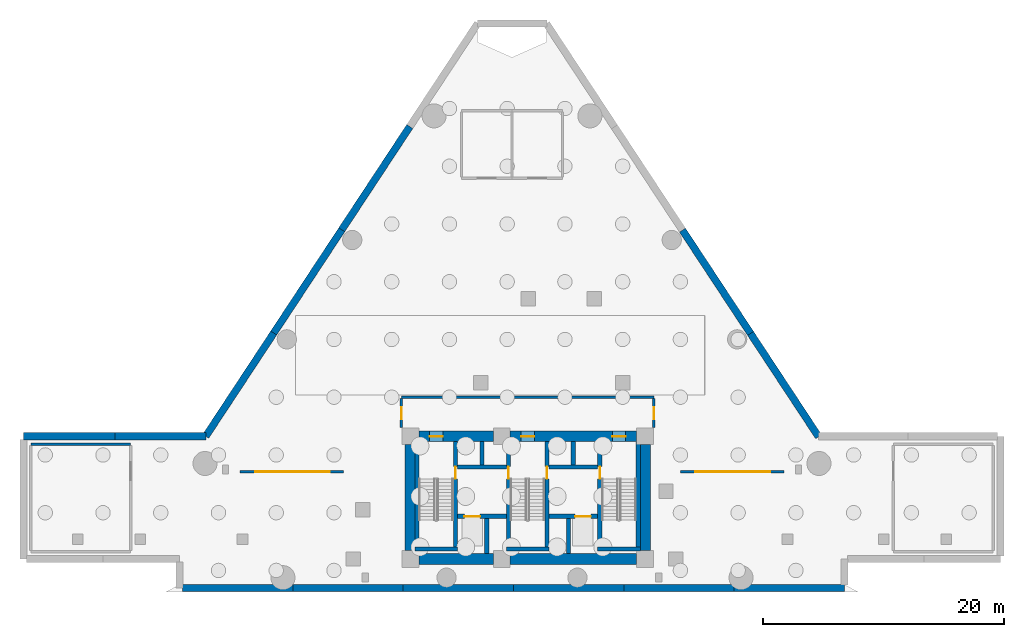
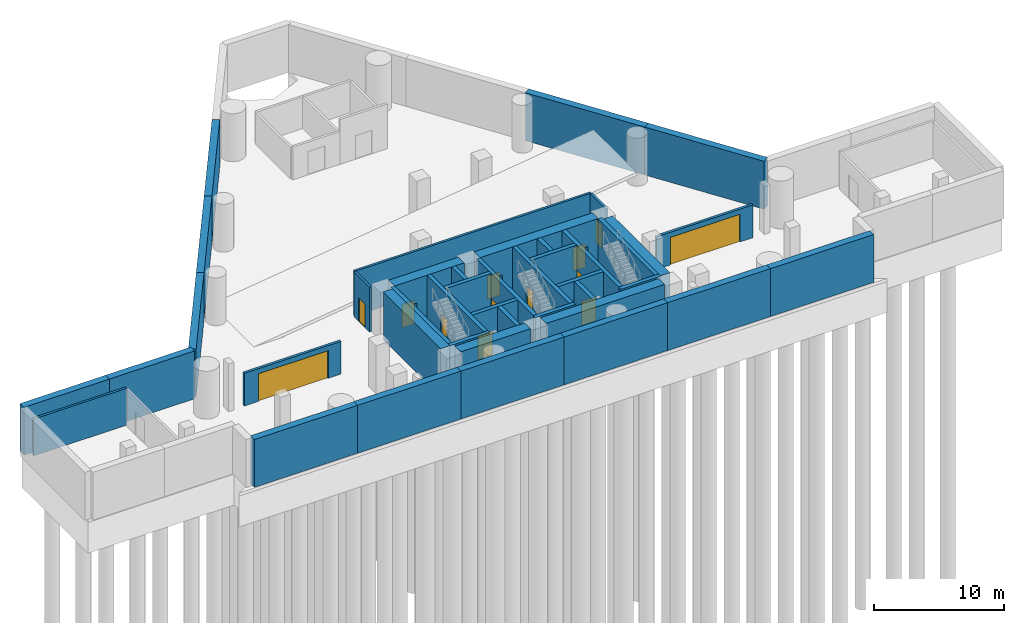
# One storey, part 2 of 5: 42 walls, 13 doors, 13 openings.
"""IFC4 building model written with IfcOpenShell, lengths in metres."""

from ifc_helpers import new_model, si_unit, direction, frame, frame_2d, origin, place, context, subcontext, project, spatial, rectangle, extrude, material, layer, layer_set, type_object, element, fill, save


model = new_model("IFC4")

# Units and contexts
model_context = context("Model", 3, precision=1e-05, world=origin(), true_north=direction((0.0, 1.0)))
body_context = subcontext(model_context, "Body", "Model", "MODEL_VIEW")
ifc_project = project(units=[si_unit("LENGTHUNIT", "METRE"), si_unit("AREAUNIT", "SQUARE_METRE"), si_unit("VOLUMEUNIT", "CUBIC_METRE"), si_unit("PLANEANGLEUNIT", "RADIAN"), si_unit("MASSUNIT", "GRAM", prefix="KILO")], contexts=[model_context])

# Site, building, storey
site_placement = place(None, origin())
site = spatial("IfcSite", under=ifc_project, at=site_placement, CompositionType="ELEMENT")
building_placement = place(site_placement, origin())
building = spatial("IfcBuilding", under=site, at=building_placement, Name="Almagre Mirador Tower", CompositionType="ELEMENT")
storey_placement = place(building_placement, frame((0.0, 0.0, -9.0)))
storey = spatial("IfcBuildingStorey", under=building, at=storey_placement, Name="B02", CompositionType="ELEMENT", Elevation=-9.0)

# Walls
ifc_material_1 = material(Name="Gypsum acoustic stud partition", Category="other")
ifc_layer_1 = layer(ifc_material_1, 0.199951171875)
ifc_layer_set_1 = layer_set([ifc_layer_1], Name="Gypsum acoustic stud partition")
wall_type_1 = type_object("IfcWallType", Name="WAL-PRT-200-EI60", PredefinedType="PARTITIONING", material=ifc_layer_set_1)
wall_1_placement = place(storey_placement, frame((-4.0, 14.10009765625, 0.0), z_axis=(0.0, 0.0, 1.0), x_axis=(1.0, 0.0, 0.0)))
element("IfcWall", 1, at=wall_1_placement, inside=storey, type_object=wall_type_1, Name="B02 West District Chilled-Water Plant Room N fire partition", PredefinedType="PARTITIONING", context=body_context, shape_type="SweptSolid", body=[
    extrude(rectangle(XDim=8.300048828125, YDim=0.199951171875, at=frame_2d((4.14990234375, 0.0))), origin(), (0.0, 0.0, 1.0), 3.464111328125),
])
wall_2_placement = place(storey_placement, frame((26.800048828125, 18.0, 0.0), z_axis=(0.0, 0.0, 1.0), x_axis=(1.0, 0.0, 0.0)))
element("IfcWall", 2, at=wall_2_placement, inside=storey, type_object=wall_type_1, Name="B02 core stair lobby north fire wall", PredefinedType="PARTITIONING", context=body_context, shape_type="SweptSolid", body=[
    extrude(rectangle(XDim=21.0, YDim=0.199951171875, at=frame_2d((10.5, 0.0))), origin(), (0.0, 0.0, 1.0), 4.199951171875),
])

# Wall, opening, door
wall_3_placement = place(storey_placement, frame((26.800048828125, 15.47998046875, 0.0), z_axis=(0.0, 0.0, 1.0), x_axis=(0.0, 1.0, 0.0)))
wall_3 = element("IfcWall", 3, at=wall_3_placement, inside=storey, type_object=wall_type_1, Name="B02 core stair lobby west fire wall", PredefinedType="PARTITIONING", context=body_context, shape_type="SweptSolid", body=[
    extrude(rectangle(XDim=2.409912109375, YDim=0.199951171875, at=frame_2d((1.205078125, 0.0))), origin(), (0.0, 0.0, 1.0), 4.199951171875),
])
opening_1_placement = place(wall_3_placement, frame((0.699951171875, 0.0, 0.0)))
opening_1 = element("IfcOpeningElement", 4, at=opening_1_placement, cuts=wall_3, Name="Opening ID-01", PredefinedType="OPENING", context=body_context, shape_type="SweptSolid", body=[
    extrude(rectangle(XDim=1.0, YDim=2.199951171875, at=frame_2d((0.5, 1.10009765625))), frame((0.0, 0.110098, 0.0), z_axis=(0.0, -1.0, 0.0), x_axis=(1.0, 0.0, 0.0)), (0.0, 0.0, 1.0), 0.219951),
])
ifc_material_2 = material(Name="Fire-rated walnut timber", Category="wood")
door_type_1 = type_object("IfcDoorType", Name="DOR-FD60-1000X2200", OperationType="NOTDEFINED", PredefinedType="DOOR", material=ifc_material_2)
door_1_placement = place(opening_1_placement, origin())
door_1 = element("IfcDoor", 5, at=door_1_placement, inside=storey, type_object=door_type_1, Name="DR-0006 B02 core stair lobby west door", OperationType="SINGLE_SWING_RIGHT", OverallHeight=2.199951171875, OverallWidth=1.0, PredefinedType="DOOR", context=body_context, shape_type="SweptSolid", body=[
    extrude(rectangle(XDim=1.0, YDim=2.199951171875, at=frame_2d((0.5, 1.10009765625))), frame((0.0, 0.02490234375, 0.0), z_axis=(0.0, -1.0, 0.0), x_axis=(1.0, 0.0, 0.0)), (0.0, 0.0, 1.0), 0.050048828125),
])
fill(opening_1, door_1)

wall_4_placement = place(storey_placement, frame((47.800048828125, 15.47998046875, 0.0), z_axis=(0.0, 0.0, 1.0), x_axis=(0.0, 1.0, 0.0)))
wall_4 = element("IfcWall", 6, at=wall_4_placement, inside=storey, type_object=wall_type_1, Name="B02 core stair lobby east fire wall", PredefinedType="PARTITIONING", context=body_context, shape_type="SweptSolid", body=[
    extrude(rectangle(XDim=2.409912109375, YDim=0.199951171875, at=frame_2d((1.205078125, 0.0))), origin(), (0.0, 0.0, 1.0), 4.199951171875),
])
opening_2_placement = place(wall_4_placement, frame((0.699951171875, 0.0, 0.0)))
opening_2 = element("IfcOpeningElement", 7, at=opening_2_placement, cuts=wall_4, Name="Opening ID-01", PredefinedType="OPENING", context=body_context, shape_type="SweptSolid", body=[
    extrude(rectangle(XDim=1.0, YDim=2.199951171875, at=frame_2d((0.5, 1.10009765625))), frame((0.0, 0.110098, 0.0), z_axis=(0.0, -1.0, 0.0), x_axis=(1.0, 0.0, 0.0)), (0.0, 0.0, 1.0), 0.219951),
])
door_2_placement = place(opening_2_placement, origin())
door_2 = element("IfcDoor", 8, at=door_2_placement, inside=storey, type_object=door_type_1, Name="DR-0005 B02 core stair lobby east door", OperationType="SINGLE_SWING_RIGHT", OverallHeight=2.199951171875, OverallWidth=1.0, PredefinedType="DOOR", context=body_context, shape_type="SweptSolid", body=[
    extrude(rectangle(XDim=1.0, YDim=2.199951171875, at=frame_2d((0.5, 1.10009765625))), frame((0.0, 0.02490234375, 0.0), z_axis=(0.0, -1.0, 0.0), x_axis=(1.0, 0.0, 0.0)), (0.0, 0.0, 1.0), 0.050048828125),
])
fill(opening_2, door_2)

ifc_material_3 = material(Name="Gypsum acoustic stud partition", Category="other")
ifc_layer_2 = layer(ifc_material_3, 0.22509765625)
ifc_layer_set_2 = layer_set([ifc_layer_2], Name="Gypsum acoustic stud partition")
wall_type_2 = type_object("IfcWallType", Name="WAL-PRT-225-EI120", PredefinedType="PARTITIONING", material=ifc_layer_set_2)
wall_5_placement = place(storey_placement, frame((13.39990234375, 11.800048828125, 0.0), z_axis=(0.0, 0.0, 1.0), x_axis=(1.0, 0.0, 0.0)))
wall_5 = element("IfcWall", 9, at=wall_5_placement, inside=storey, type_object=wall_type_2, Name="B02 garage smoke compartment wall 1", PredefinedType="PARTITIONING", context=body_context, shape_type="SweptSolid", body=[
    extrude(rectangle(XDim=8.60009765625, YDim=0.22509765625, at=frame_2d((4.300048828125, 0.0))), origin(), (0.0, 0.0, 1.0), 3.077880859375),
])
opening_3_placement = place(wall_5_placement, frame((1.25, 0.0, 0.0)))
opening_3 = element("IfcOpeningElement", 10, at=opening_3_placement, cuts=wall_5, Name="Opening VG-03", PredefinedType="OPENING", context=body_context, shape_type="SweptSolid", body=[
    extrude(rectangle(XDim=6.199951171875, YDim=2.60009765625, at=frame_2d((3.10009765625, 1.300048828125))), frame((0.0, 0.122549, 0.0), z_axis=(0.0, -1.0, 0.0), x_axis=(1.0, 0.0, 0.0)), (0.0, 0.0, 1.0), 0.245098),
])
ifc_material_4 = material(Name="Galvanized steel fire shutter", Category="steel")
door_type_2 = type_object("IfcDoorType", Name="GAT-GAR-6200X2600", OperationType="ROLLINGUP", PredefinedType="GATE", material=ifc_material_4)
door_3_placement = place(opening_3_placement, origin())
door_3 = element("IfcDoor", 11, at=door_3_placement, inside=storey, type_object=door_type_2, Name="DR-0016 B02 drive aisle automatic fire shutter VG-03.1", OperationType="ROLLINGUP", OverallHeight=2.60009765625, OverallWidth=6.199951171875, PredefinedType="GATE", context=body_context, shape_type="SweptSolid", body=[
    extrude(rectangle(XDim=6.199951171875, YDim=2.60009765625, at=frame_2d((3.10009765625, 1.300048828125))), frame((0.0, 0.02490234375, 0.0), z_axis=(0.0, -1.0, 0.0), x_axis=(1.0, 0.0, 0.0)), (0.0, 0.0, 1.0), 0.050048828125),
])
fill(opening_3, door_3)

wall_6_placement = place(storey_placement, frame((50.0, 11.800048828125, 0.0), z_axis=(0.0, 0.0, 1.0), x_axis=(1.0, 0.0, 0.0)))
wall_6 = element("IfcWall", 12, at=wall_6_placement, inside=storey, type_object=wall_type_2, Name="B02 garage smoke compartment wall 2", PredefinedType="PARTITIONING", context=body_context, shape_type="SweptSolid", body=[
    extrude(rectangle(XDim=8.60009765625, YDim=0.22509765625, at=frame_2d((4.300048828125, 0.0))), origin(), (0.0, 0.0, 1.0), 3.077880859375),
])
opening_4_placement = place(wall_6_placement, frame((1.25, 0.0, 0.0)))
opening_4 = element("IfcOpeningElement", 13, at=opening_4_placement, cuts=wall_6, Name="Opening VG-03", PredefinedType="OPENING", context=body_context, shape_type="SweptSolid", body=[
    extrude(rectangle(XDim=6.199951171875, YDim=2.60009765625, at=frame_2d((3.10009765625, 1.300048828125))), frame((0.0, 0.122549, 0.0), z_axis=(0.0, -1.0, 0.0), x_axis=(1.0, 0.0, 0.0)), (0.0, 0.0, 1.0), 0.245098),
])
door_4_placement = place(opening_4_placement, origin())
door_4 = element("IfcDoor", 14, at=door_4_placement, inside=storey, type_object=door_type_2, Name="DR-0017 B02 drive aisle automatic fire shutter VG-03.2", OperationType="ROLLINGUP", OverallHeight=2.60009765625, OverallWidth=6.199951171875, PredefinedType="GATE", context=body_context, shape_type="SweptSolid", body=[
    extrude(rectangle(XDim=6.199951171875, YDim=2.60009765625, at=frame_2d((3.10009765625, 1.300048828125))), frame((0.0, 0.02490234375, 0.0), z_axis=(0.0, -1.0, 0.0), x_axis=(1.0, 0.0, 0.0)), (0.0, 0.0, 1.0), 0.050048828125),
])
fill(opening_4, door_4)

# Walls
ifc_material_5 = material(Name="Concrete C50/60", Category="concrete")
ifc_layer_3 = layer(ifc_material_5, 0.60009765625)
ifc_layer_set_3 = layer_set([ifc_layer_3], Name="Concrete C50/60")
wall_type_3 = type_object("IfcWallType", Name="WAL-RET-600", PredefinedType="USERDEFINED", material=ifc_layer_set_3)
for number, where, z_axis, x_axis, name in (
    (15, (27.50390625, 40.506103515625, 0.0), (0.0, 0.0, 1.0), (-0.550204250098, -0.835030109142, 0.0), "B02 perimeter retaining wall 01.2"),
    (16, (21.846923828125, 31.920654296875, 0.0), (0.0, 0.0, 1.0), (-0.550215159777, -0.835022920614, 0.0), "B02 perimeter retaining wall 01.3"),
    (17, (16.18994140625, 23.33544921875, 0.0), (0.0, 0.0, 1.0), (-0.550204250098, -0.835030109142, 0.0), "B02 perimeter retaining wall 01.4"),
):
    element("IfcWall", number, at=place(storey_placement, frame(where, z_axis=z_axis, x_axis=x_axis)), inside=storey, type_object=wall_type_3, Name=name, ObjectType="RETAININGWALL", PredefinedType="USERDEFINED", context=body_context, shape_type="SweptSolid", body=[
        extrude(rectangle(XDim=10.281494140625, YDim=0.60009765625, at=frame_2d((5.140625, 0.0))), origin(), (0.0, 0.0, 1.0), 4.5),
    ])
wall_7_placement = place(storey_placement, frame((10.572998046875, 14.75, 0.0), z_axis=(0.0, 0.0, 1.0), x_axis=(-1.0, 0.0, 0.0)))
element("IfcWall", 18, at=wall_7_placement, inside=storey, type_object=wall_type_3, Name="B02 perimeter retaining wall 02.1", ObjectType="RETAININGWALL", PredefinedType="USERDEFINED", context=body_context, shape_type="SweptSolid", body=[
    extrude(rectangle(XDim=7.58642578125, YDim=0.60009765625, at=frame_2d((3.793212890625, 0.0))), origin(), (0.0, 0.0, 1.0), 4.5),
])
wall_8_placement = place(storey_placement, frame((2.986572265625, 14.75, 0.0), z_axis=(0.0, 0.0, 1.0), x_axis=(-1.0, 0.0, 0.0)))
element("IfcWall", 19, at=wall_8_placement, inside=storey, type_object=wall_type_3, Name="B02 perimeter retaining wall 02.2", ObjectType="RETAININGWALL", PredefinedType="USERDEFINED", context=body_context, shape_type="SweptSolid", body=[
    extrude(rectangle(XDim=7.586669921875, YDim=0.60009765625, at=frame_2d((3.79345703125, 0.0))), origin(), (0.0, 0.0, 1.0), 4.5),
])
for number, where, z_axis, x_axis, name in (
    (20, (8.612060546875, 2.14990234375, 0.0), (0.0, 0.0, 1.0), (1.0, 0.0, 0.0), "B02 perimeter retaining wall 06.1"),
    (21, (17.78466796875, 2.14990234375, 0.0), (0.0, 0.0, 1.0), (1.0, 0.0, 0.0), "B02 perimeter retaining wall 06.2"),
    (22, (26.957275390625, 2.14990234375, 0.0), (0.0, 0.0, 1.0), (1.0, 0.0, 0.0), "B02 perimeter retaining wall 06.3"),
):
    element("IfcWall", number, at=place(storey_placement, frame(where, z_axis=z_axis, x_axis=x_axis)), inside=storey, type_object=wall_type_3, Name=name, ObjectType="RETAININGWALL", PredefinedType="USERDEFINED", context=body_context, shape_type="SweptSolid", body=[
        extrude(rectangle(XDim=9.172607421875, YDim=0.60009765625, at=frame_2d((4.58642578125, 0.0))), origin(), (0.0, 0.0, 1.0), 4.5),
    ])
wall_9_placement = place(storey_placement, frame((36.1298828125, 2.14990234375, 0.0), z_axis=(0.0, 0.0, 1.0), x_axis=(1.0, 0.0, 0.0)))
element("IfcWall", 23, at=wall_9_placement, inside=storey, type_object=wall_type_3, Name="B02 perimeter retaining wall 06.4", ObjectType="RETAININGWALL", PredefinedType="USERDEFINED", context=body_context, shape_type="SweptSolid", body=[
    extrude(rectangle(XDim=9.1728515625, YDim=0.60009765625, at=frame_2d((4.58642578125, 0.0))), origin(), (0.0, 0.0, 1.0), 4.5),
])
for number, where, z_axis, x_axis, name in (
    (24, (45.302734375, 2.14990234375, 0.0), (0.0, 0.0, 1.0), (1.0, 0.0, 0.0), "B02 perimeter retaining wall 06.5"),
    (25, (54.475341796875, 2.14990234375, 0.0), (0.0, 0.0, 1.0), (1.0, 0.0, 0.0), "B02 perimeter retaining wall 06.6"),
):
    element("IfcWall", number, at=place(storey_placement, frame(where, z_axis=z_axis, x_axis=x_axis)), inside=storey, type_object=wall_type_3, Name=name, ObjectType="RETAININGWALL", PredefinedType="USERDEFINED", context=body_context, shape_type="SweptSolid", body=[
        extrude(rectangle(XDim=9.172607421875, YDim=0.60009765625, at=frame_2d((4.58642578125, 0.0))), origin(), (0.0, 0.0, 1.0), 4.5),
    ])
for number, where, z_axis, x_axis, name in (
    (26, (61.489013671875, 14.716552734375, 0.0), (0.0, 0.0, 1.0), (-0.550204250098, 0.835030109142, 0.0), "B02 perimeter retaining wall 11.1"),
    (27, (55.83203125, 23.302001953125, 0.0), (0.0, 0.0, 1.0), (-0.550215159777, 0.835022920614, 0.0), "B02 perimeter retaining wall 11.2"),
):
    element("IfcWall", number, at=place(storey_placement, frame(where, z_axis=z_axis, x_axis=x_axis)), inside=storey, type_object=wall_type_3, Name=name, ObjectType="RETAININGWALL", PredefinedType="USERDEFINED", context=body_context, shape_type="SweptSolid", body=[
        extrude(rectangle(XDim=10.281494140625, YDim=0.60009765625, at=frame_2d((5.140625, 0.0))), origin(), (0.0, 0.0, 1.0), 4.5),
    ])
ifc_material_6 = material(Name="Concrete C60/75", Category="concrete")
ifc_layer_4 = layer(ifc_material_6, 0.35009765625)
ifc_layer_set_4 = layer_set([ifc_layer_4], Name="Concrete C60/75")
wall_type_4 = type_object("IfcWallType", Name="WAL-SHF-350", PredefinedType="SOLIDWALL", material=ifc_layer_set_4)
wall_10_placement = place(storey_placement, frame((28.10009765625, 5.199951171875, 0.0), z_axis=(0.0, 0.0, 1.0), x_axis=(0.0, 1.0, 0.0)))
element("IfcWall", 28, at=wall_10_placement, inside=storey, type_object=wall_type_4, Name="B02 shaft wall ST1-W", PredefinedType="SOLIDWALL", context=body_context, shape_type="SweptSolid", body=[
    extrude(rectangle(XDim=9.10009765625, YDim=0.35009765625, at=frame_2d((4.550048828125, 0.0))), origin(), (0.0, 0.0, 1.0), 4.5),
])

# Wall, opening, door
wall_11_placement = place(storey_placement, frame((31.300048828125, 5.199951171875, 0.0), z_axis=(0.0, 0.0, 1.0), x_axis=(0.0, 1.0, 0.0)))
wall_11 = element("IfcWall", 29, at=wall_11_placement, inside=storey, type_object=wall_type_4, Name="B02 shaft wall ST1-E", PredefinedType="SOLIDWALL", context=body_context, shape_type="SweptSolid", body=[
    extrude(rectangle(XDim=9.10009765625, YDim=0.35009765625, at=frame_2d((4.550048828125, 0.0))), origin(), (0.0, 0.0, 1.0), 4.5),
])
opening_5_placement = place(wall_11_placement, frame((6.02001953125, 0.0, 0.0)))
opening_5 = element("IfcOpeningElement", 30, at=opening_5_placement, cuts=wall_11, Name="Opening FD-01", PredefinedType="OPENING", context=body_context, shape_type="SweptSolid", body=[
    extrude(rectangle(XDim=1.0, YDim=2.14990234375, at=frame_2d((0.5, 1.074951171875))), frame((0.0, 0.185049, 0.0), z_axis=(0.0, -1.0, 0.0), x_axis=(1.0, 0.0, 0.0)), (0.0, 0.0, 1.0), 0.370098),
])
ifc_material_7 = material(Name="Fire-rated hollow steel", Category="steel")
door_type_3 = type_object("IfcDoorType", Name="DOR-FFL-1000X2150", OperationType="NOTDEFINED", PredefinedType="DOOR", material=ifc_material_7)
door_5_placement = place(opening_5_placement, origin())
door_5 = element("IfcDoor", 31, at=door_5_placement, inside=storey, type_object=door_type_3, Name="DR-0007 B02 FFL1-ST1 smokeproof door", OperationType="SINGLE_SWING_RIGHT", OverallHeight=2.14990234375, OverallWidth=1.0, PredefinedType="DOOR", context=body_context, shape_type="SweptSolid", body=[
    extrude(rectangle(XDim=1.0, YDim=2.14990234375, at=frame_2d((0.5, 1.074951171875))), frame((0.0, 0.02490234375, 0.0), z_axis=(0.0, -1.0, 0.0), x_axis=(1.0, 0.0, 0.0)), (0.0, 0.0, 1.0), 0.050048828125),
])
fill(opening_5, door_5)

# Wall
wall_12_placement = place(storey_placement, frame((27.925048828125, 5.375, 0.0), z_axis=(0.0, 0.0, 1.0), x_axis=(1.0, 0.0, 0.0)))
element("IfcWall", 32, at=wall_12_placement, inside=storey, type_object=wall_type_4, Name="B02 shaft wall ST1-S", PredefinedType="SOLIDWALL", context=body_context, shape_type="SweptSolid", body=[
    extrude(rectangle(XDim=3.550048828125, YDim=0.35009765625, at=frame_2d((1.77490234375, 0.0))), origin(), (0.0, 0.0, 1.0), 4.5),
])

# Wall, opening, door
wall_13_placement = place(storey_placement, frame((35.699951171875, 5.199951171875, 0.0), z_axis=(0.0, 0.0, 1.0), x_axis=(0.0, 1.0, 0.0)))
wall_13 = element("IfcWall", 33, at=wall_13_placement, inside=storey, type_object=wall_type_4, Name="B02 shaft wall ST2-W", PredefinedType="SOLIDWALL", context=body_context, shape_type="SweptSolid", body=[
    extrude(rectangle(XDim=9.10009765625, YDim=0.35009765625, at=frame_2d((4.550048828125, 0.0))), origin(), (0.0, 0.0, 1.0), 4.5),
])
opening_6_placement = place(wall_13_placement, frame((6.02001953125, 0.0, 0.0)))
opening_6 = element("IfcOpeningElement", 34, at=opening_6_placement, cuts=wall_13, Name="Opening FD-01", PredefinedType="OPENING", context=body_context, shape_type="SweptSolid", body=[
    extrude(rectangle(XDim=1.0, YDim=2.14990234375, at=frame_2d((0.5, 1.074951171875))), frame((0.0, 0.185049, 0.0), z_axis=(0.0, -1.0, 0.0), x_axis=(1.0, 0.0, 0.0)), (0.0, 0.0, 1.0), 0.370098),
])
door_6_placement = place(opening_6_placement, origin())
door_6 = element("IfcDoor", 35, at=door_6_placement, inside=storey, type_object=door_type_3, Name="DR-0008 B02 FFL1-ST2 smokeproof door", OperationType="SINGLE_SWING_LEFT", OverallHeight=2.14990234375, OverallWidth=1.0, PredefinedType="DOOR", context=body_context, shape_type="SweptSolid", body=[
    extrude(rectangle(XDim=1.0, YDim=2.14990234375, at=frame_2d((0.5, 1.074951171875))), frame((0.0, 0.02490234375, 0.0), z_axis=(0.0, -1.0, 0.0), x_axis=(1.0, 0.0, 0.0)), (0.0, 0.0, 1.0), 0.050048828125),
])
fill(opening_6, door_6)

wall_14_placement = place(storey_placement, frame((38.89990234375, 5.199951171875, 0.0), z_axis=(0.0, 0.0, 1.0), x_axis=(0.0, 1.0, 0.0)))
wall_14 = element("IfcWall", 36, at=wall_14_placement, inside=storey, type_object=wall_type_4, Name="B02 shaft wall ST2-E", PredefinedType="SOLIDWALL", context=body_context, shape_type="SweptSolid", body=[
    extrude(rectangle(XDim=9.10009765625, YDim=0.35009765625, at=frame_2d((4.550048828125, 0.0))), origin(), (0.0, 0.0, 1.0), 4.5),
])
opening_7_placement = place(wall_14_placement, frame((6.02001953125, 0.0, 0.0)))
opening_7 = element("IfcOpeningElement", 37, at=opening_7_placement, cuts=wall_14, Name="Opening FD-01", PredefinedType="OPENING", context=body_context, shape_type="SweptSolid", body=[
    extrude(rectangle(XDim=1.0, YDim=2.14990234375, at=frame_2d((0.5, 1.074951171875))), frame((0.0, 0.185049, 0.0), z_axis=(0.0, -1.0, 0.0), x_axis=(1.0, 0.0, 0.0)), (0.0, 0.0, 1.0), 0.370098),
])
door_7_placement = place(opening_7_placement, origin())
door_7 = element("IfcDoor", 38, at=door_7_placement, inside=storey, type_object=door_type_3, Name="DR-0009 B02 FFL2-ST2 smokeproof door", OperationType="SINGLE_SWING_RIGHT", OverallHeight=2.14990234375, OverallWidth=1.0, PredefinedType="DOOR", context=body_context, shape_type="SweptSolid", body=[
    extrude(rectangle(XDim=1.0, YDim=2.14990234375, at=frame_2d((0.5, 1.074951171875))), frame((0.0, 0.02490234375, 0.0), z_axis=(0.0, -1.0, 0.0), x_axis=(1.0, 0.0, 0.0)), (0.0, 0.0, 1.0), 0.050048828125),
])
fill(opening_7, door_7)

# Wall
wall_15_placement = place(storey_placement, frame((35.52490234375, 5.375, 0.0), z_axis=(0.0, 0.0, 1.0), x_axis=(1.0, 0.0, 0.0)))
element("IfcWall", 39, at=wall_15_placement, inside=storey, type_object=wall_type_4, Name="B02 shaft wall ST2-S", PredefinedType="SOLIDWALL", context=body_context, shape_type="SweptSolid", body=[
    extrude(rectangle(XDim=3.550048828125, YDim=0.35009765625, at=frame_2d((1.77490234375, 0.0))), origin(), (0.0, 0.0, 1.0), 4.5),
])

# Wall, opening, door
wall_16_placement = place(storey_placement, frame((43.300048828125, 5.199951171875, 0.0), z_axis=(0.0, 0.0, 1.0), x_axis=(0.0, 1.0, 0.0)))
wall_16 = element("IfcWall", 40, at=wall_16_placement, inside=storey, type_object=wall_type_4, Name="B02 shaft wall ST3-W", PredefinedType="SOLIDWALL", context=body_context, shape_type="SweptSolid", body=[
    extrude(rectangle(XDim=9.10009765625, YDim=0.35009765625, at=frame_2d((4.550048828125, 0.0))), origin(), (0.0, 0.0, 1.0), 4.5),
])
opening_8_placement = place(wall_16_placement, frame((6.02001953125, 0.0, 0.0)))
opening_8 = element("IfcOpeningElement", 41, at=opening_8_placement, cuts=wall_16, Name="Opening FD-01", PredefinedType="OPENING", context=body_context, shape_type="SweptSolid", body=[
    extrude(rectangle(XDim=1.0, YDim=2.14990234375, at=frame_2d((0.5, 1.074951171875))), frame((0.0, 0.185049, 0.0), z_axis=(0.0, -1.0, 0.0), x_axis=(1.0, 0.0, 0.0)), (0.0, 0.0, 1.0), 0.370098),
])
door_8_placement = place(opening_8_placement, origin())
door_8 = element("IfcDoor", 42, at=door_8_placement, inside=storey, type_object=door_type_3, Name="DR-0010 B02 FFL2-ST3 smokeproof door", OperationType="SINGLE_SWING_LEFT", OverallHeight=2.14990234375, OverallWidth=1.0, PredefinedType="DOOR", context=body_context, shape_type="SweptSolid", body=[
    extrude(rectangle(XDim=1.0, YDim=2.14990234375, at=frame_2d((0.5, 1.074951171875))), frame((0.0, 0.02490234375, 0.0), z_axis=(0.0, -1.0, 0.0), x_axis=(1.0, 0.0, 0.0)), (0.0, 0.0, 1.0), 0.050048828125),
])
fill(opening_8, door_8)

# Walls
wall_17_placement = place(storey_placement, frame((46.5, 5.199951171875, 0.0), z_axis=(0.0, 0.0, 1.0), x_axis=(0.0, 1.0, 0.0)))
element("IfcWall", 43, at=wall_17_placement, inside=storey, type_object=wall_type_4, Name="B02 shaft wall ST3-E", PredefinedType="SOLIDWALL", context=body_context, shape_type="SweptSolid", body=[
    extrude(rectangle(XDim=9.10009765625, YDim=0.35009765625, at=frame_2d((4.550048828125, 0.0))), origin(), (0.0, 0.0, 1.0), 4.5),
])
wall_18_placement = place(storey_placement, frame((43.125, 5.375, 0.0), z_axis=(0.0, 0.0, 1.0), x_axis=(1.0, 0.0, 0.0)))
element("IfcWall", 44, at=wall_18_placement, inside=storey, type_object=wall_type_4, Name="B02 shaft wall ST3-S", PredefinedType="SOLIDWALL", context=body_context, shape_type="SweptSolid", body=[
    extrude(rectangle(XDim=3.550048828125, YDim=0.35009765625, at=frame_2d((1.77490234375, 0.0))), origin(), (0.0, 0.0, 1.0), 4.5),
])

# Wall, opening, door
wall_19_placement = place(storey_placement, frame((31.47509765625, 8.10009765625, 0.0), z_axis=(0.0, 0.0, 1.0), x_axis=(1.0, 0.0, 0.0)))
wall_19 = element("IfcWall", 45, at=wall_19_placement, inside=storey, type_object=wall_type_4, Name="B02 shaft wall FSAE1-N", PredefinedType="SOLIDWALL", context=body_context, shape_type="SweptSolid", body=[
    extrude(rectangle(XDim=4.0498046875, YDim=0.35009765625, at=frame_2d((2.02490234375, 0.0))), origin(), (0.0, 0.0, 1.0), 4.5),
])
opening_9_placement = place(wall_19_placement, frame((0.574951171875, 0.0, 0.0)))
opening_9 = element("IfcOpeningElement", 46, at=opening_9_placement, cuts=wall_19, Name="Opening LD-03", PredefinedType="OPENING", context=body_context, shape_type="SweptSolid", body=[
    extrude(rectangle(XDim=1.300048828125, YDim=2.25, at=frame_2d((0.64990234375, 1.125))), frame((0.0, 0.185049, 0.0), z_axis=(0.0, -1.0, 0.0), x_axis=(1.0, 0.0, 0.0)), (0.0, 0.0, 1.0), 0.370098),
])
ifc_material_8 = material(Name="Hollow stainless steel", Category="steel")
door_type_4 = type_object("IfcDoorType", Name="DOR-LD-1300X2250", OperationType="DOUBLE_DOOR_SLIDING", PredefinedType="DOOR", material=ifc_material_8)
door_9_placement = place(opening_9_placement, origin())
door_9 = element("IfcDoor", 47, at=door_9_placement, inside=storey, type_object=door_type_4, Name="DR-0011 B02 FSAE-1 lift landing door", OperationType="DOUBLE_DOOR_SLIDING", OverallHeight=2.25, OverallWidth=1.300048828125, PredefinedType="DOOR", context=body_context, shape_type="SweptSolid", body=[
    extrude(rectangle(XDim=1.300048828125, YDim=2.25, at=frame_2d((0.64990234375, 1.125))), frame((0.0, 0.02490234375, 0.0), z_axis=(0.0, -1.0, 0.0), x_axis=(1.0, 0.0, 0.0)), (0.0, 0.0, 1.0), 0.050048828125),
])
fill(opening_9, door_9)

wall_20_placement = place(storey_placement, frame((39.074951171875, 8.10009765625, 0.0), z_axis=(0.0, 0.0, 1.0), x_axis=(1.0, 0.0, 0.0)))
wall_20 = element("IfcWall", 48, at=wall_20_placement, inside=storey, type_object=wall_type_4, Name="B02 shaft wall FSAE2-N", PredefinedType="SOLIDWALL", context=body_context, shape_type="SweptSolid", body=[
    extrude(rectangle(XDim=4.050048828125, YDim=0.35009765625, at=frame_2d((2.02490234375, 0.0))), origin(), (0.0, 0.0, 1.0), 4.5),
])
opening_10_placement = place(wall_20_placement, frame((2.175048828125, 0.0, 0.0)))
opening_10 = element("IfcOpeningElement", 49, at=opening_10_placement, cuts=wall_20, Name="Opening LD-03", PredefinedType="OPENING", context=body_context, shape_type="SweptSolid", body=[
    extrude(rectangle(XDim=1.300048828125, YDim=2.25, at=frame_2d((0.64990234375, 1.125))), frame((0.0, 0.185049, 0.0), z_axis=(0.0, -1.0, 0.0), x_axis=(1.0, 0.0, 0.0)), (0.0, 0.0, 1.0), 0.370098),
])
door_10_placement = place(opening_10_placement, origin())
door_10 = element("IfcDoor", 50, at=door_10_placement, inside=storey, type_object=door_type_4, Name="DR-0012 B02 FSAE-2 lift landing door", OperationType="DOUBLE_DOOR_SLIDING", OverallHeight=2.25, OverallWidth=1.300048828125, PredefinedType="DOOR", context=body_context, shape_type="SweptSolid", body=[
    extrude(rectangle(XDim=1.300048828125, YDim=2.25, at=frame_2d((0.64990234375, 1.125))), frame((0.0, 0.02490234375, 0.0), z_axis=(0.0, -1.0, 0.0), x_axis=(1.0, 0.0, 0.0)), (0.0, 0.0, 1.0), 0.050048828125),
])
fill(opening_10, door_10)

# Walls
for number, where, z_axis, x_axis, name in (
    (51, (33.89990234375, 5.0, 0.0), (0.0, 0.0, 1.0), (0.0, 1.0, 0.0), "B02 shaft wall FSAE1-E"),
    (52, (40.699951171875, 5.0, 0.0), (0.0, 0.0, 1.0), (0.0, 1.0, 0.0), "B02 shaft wall FSAE2-W"),
):
    element("IfcWall", number, at=place(storey_placement, frame(where, z_axis=z_axis, x_axis=x_axis)), inside=storey, type_object=wall_type_4, Name=name, PredefinedType="SOLIDWALL", context=body_context, shape_type="SweptSolid", body=[
        extrude(rectangle(XDim=2.925048828125, YDim=0.35009765625, at=frame_2d((1.46240234375, 0.0))), origin(), (0.0, 0.0, 1.0), 4.5),
    ])
wall_21_placement = place(storey_placement, frame((31.47509765625, 12.199951171875, 0.0), z_axis=(0.0, 0.0, 1.0), x_axis=(1.0, 0.0, 0.0)))
element("IfcWall", 53, at=wall_21_placement, inside=storey, type_object=wall_type_4, Name="B02 shaft wall PLM-S", PredefinedType="SOLIDWALL", context=body_context, shape_type="SweptSolid", body=[
    extrude(rectangle(XDim=4.0498046875, YDim=0.35009765625, at=frame_2d((2.02490234375, 0.0))), origin(), (0.0, 0.0, 1.0), 4.5),
])
wall_22_placement = place(storey_placement, frame((33.5, 12.375, 0.0), z_axis=(0.0, 0.0, 1.0), x_axis=(0.0, 1.0, 0.0)))
element("IfcWall", 54, at=wall_22_placement, inside=storey, type_object=wall_type_4, Name="B02 shaft wall PLM-M", PredefinedType="SOLIDWALL", context=body_context, shape_type="SweptSolid", body=[
    extrude(rectangle(XDim=1.925048828125, YDim=0.35009765625, at=frame_2d((0.96240234375, 0.0))), origin(), (0.0, 0.0, 1.0), 4.5),
])
wall_23_placement = place(storey_placement, frame((39.074951171875, 12.199951171875, 0.0), z_axis=(0.0, 0.0, 1.0), x_axis=(1.0, 0.0, 0.0)))
element("IfcWall", 55, at=wall_23_placement, inside=storey, type_object=wall_type_4, Name="B02 shaft wall PLH-S", PredefinedType="SOLIDWALL", context=body_context, shape_type="SweptSolid", body=[
    extrude(rectangle(XDim=4.050048828125, YDim=0.35009765625, at=frame_2d((2.02490234375, 0.0))), origin(), (0.0, 0.0, 1.0), 4.5),
])
wall_24_placement = place(storey_placement, frame((41.10009765625, 12.375, 0.0), z_axis=(0.0, 0.0, 1.0), x_axis=(0.0, 1.0, 0.0)))
element("IfcWall", 56, at=wall_24_placement, inside=storey, type_object=wall_type_4, Name="B02 shaft wall PLH-M", PredefinedType="SOLIDWALL", context=body_context, shape_type="SweptSolid", body=[
    extrude(rectangle(XDim=1.925048828125, YDim=0.35009765625, at=frame_2d((0.96240234375, 0.0))), origin(), (0.0, 0.0, 1.0), 4.5),
])
ifc_material_9 = material(Name="Concrete C70/85", Category="concrete")
ifc_layer_5 = layer(ifc_material_9, 0.89990234375)
ifc_layer_set_5 = layer_set([ifc_layer_5], Name="Concrete C70/85")
wall_type_5 = type_object("IfcWallType", Name="WAL-SHR-900", PredefinedType="SHEAR", material=ifc_layer_set_5)
wall_25_placement = place(storey_placement, frame((28.25, 4.550048828125, 0.0), z_axis=(0.0, 0.0, 1.0), x_axis=(1.0, 0.0, 0.0)))
element("IfcWall", 57, at=wall_25_placement, inside=storey, type_object=wall_type_5, Name="B02 core shear wall S1", PredefinedType="SHEAR", context=body_context, shape_type="SweptSolid", body=[
    extrude(rectangle(XDim=6.199951171875, YDim=0.89990234375, at=frame_2d((3.10009765625, 0.0))), origin(), (0.0, 0.0, 1.0), 4.5),
])
wall_26_placement = place(storey_placement, frame((35.85009765625, 4.550048828125, 0.0), z_axis=(0.0, 0.0, 1.0), x_axis=(1.0, 0.0, 0.0)))
element("IfcWall", 58, at=wall_26_placement, inside=storey, type_object=wall_type_5, Name="B02 core shear wall S2", PredefinedType="SHEAR", context=body_context, shape_type="SweptSolid", body=[
    extrude(rectangle(XDim=10.5, YDim=0.89990234375, at=frame_2d((5.25, 0.0))), origin(), (0.0, 0.0, 1.0), 4.5),
])

# Wall, opening, door
wall_27_placement = place(storey_placement, frame((28.25, 14.75, 0.0), z_axis=(0.0, 0.0, 1.0), x_axis=(1.0, 0.0, 0.0)))
wall_27 = element("IfcWall", 59, at=wall_27_placement, inside=storey, type_object=wall_type_5, Name="B02 core shear wall N1", PredefinedType="SHEAR", context=body_context, shape_type="SweptSolid", body=[
    extrude(rectangle(XDim=6.199951171875, YDim=0.89990234375, at=frame_2d((3.10009765625, 0.0))), origin(), (0.0, 0.0, 1.0), 4.5),
])
opening_11_placement = place(wall_27_placement, frame((0.89990234375, 0.0, 0.0)))
opening_11 = element("IfcOpeningElement", 60, at=opening_11_placement, cuts=wall_27, Name="Opening SD-02", PredefinedType="OPENING", context=body_context, shape_type="SweptSolid", body=[
    extrude(rectangle(XDim=1.10009765625, YDim=2.199951171875, at=frame_2d((0.550048828125, 1.10009765625))), frame((0.0, 0.459951, 0.0), z_axis=(0.0, -1.0, 0.0), x_axis=(1.0, 0.0, 0.0)), (0.0, 0.0, 1.0), 0.919902),
])
ifc_material_10 = material(Name="Fire-rated hollow steel", Category="steel")
door_type_5 = type_object("IfcDoorType", Name="DOR-ST-1100X2200", OperationType="NOTDEFINED", PredefinedType="DOOR", material=ifc_material_10)
door_11_placement = place(opening_11_placement, origin())
door_11 = element("IfcDoor", 61, at=door_11_placement, inside=storey, type_object=door_type_5, Name="DR-0013 B02 protected exit stair ST-1 door", OperationType="SINGLE_SWING_RIGHT", OverallHeight=2.199951171875, OverallWidth=1.10009765625, PredefinedType="DOOR", context=body_context, shape_type="SweptSolid", body=[
    extrude(rectangle(XDim=1.10009765625, YDim=2.199951171875, at=frame_2d((0.550048828125, 1.10009765625))), frame((0.0, 0.02490234375, 0.0), z_axis=(0.0, -1.0, 0.0), x_axis=(1.0, 0.0, 0.0)), (0.0, 0.0, 1.0), 0.050048828125),
])
fill(opening_11, door_11)

# Wall, openings, doors
wall_28_placement = place(storey_placement, frame((35.85009765625, 14.75, 0.0), z_axis=(0.0, 0.0, 1.0), x_axis=(1.0, 0.0, 0.0)))
wall_28 = element("IfcWall", 62, at=wall_28_placement, inside=storey, type_object=wall_type_5, Name="B02 core shear wall N2", PredefinedType="SHEAR", context=body_context, shape_type="SweptSolid", body=[
    extrude(rectangle(XDim=10.5, YDim=0.89990234375, at=frame_2d((5.25, 0.0))), origin(), (0.0, 0.0, 1.0), 4.5),
])
opening_12_placement = place(wall_28_placement, frame((0.89990234375, 0.0, 0.0)))
opening_12 = element("IfcOpeningElement", 63, at=opening_12_placement, cuts=wall_28, Name="Opening SD-02", PredefinedType="OPENING", context=body_context, shape_type="SweptSolid", body=[
    extrude(rectangle(XDim=1.10009765625, YDim=2.199951171875, at=frame_2d((0.550048828125, 1.10009765625))), frame((0.0, 0.459951, 0.0), z_axis=(0.0, -1.0, 0.0), x_axis=(1.0, 0.0, 0.0)), (0.0, 0.0, 1.0), 0.919902),
])
opening_13_placement = place(wall_28_placement, frame((8.5, 0.0, 0.0)))
opening_13 = element("IfcOpeningElement", 64, at=opening_13_placement, cuts=wall_28, Name="Opening SD-02", PredefinedType="OPENING", context=body_context, shape_type="SweptSolid", body=[
    extrude(rectangle(XDim=1.10009765625, YDim=2.199951171875, at=frame_2d((0.550048828125, 1.10009765625))), frame((0.0, 0.459951, 0.0), z_axis=(0.0, -1.0, 0.0), x_axis=(1.0, 0.0, 0.0)), (0.0, 0.0, 1.0), 0.919902),
])
door_12_placement = place(opening_12_placement, origin())
door_12 = element("IfcDoor", 65, at=door_12_placement, inside=storey, type_object=door_type_5, Name="DR-0014 B02 protected exit stair ST-2 door", OperationType="SINGLE_SWING_RIGHT", OverallHeight=2.199951171875, OverallWidth=1.10009765625, PredefinedType="DOOR", context=body_context, shape_type="SweptSolid", body=[
    extrude(rectangle(XDim=1.10009765625, YDim=2.199951171875, at=frame_2d((0.550048828125, 1.10009765625))), frame((0.0, 0.02490234375, 0.0), z_axis=(0.0, -1.0, 0.0), x_axis=(1.0, 0.0, 0.0)), (0.0, 0.0, 1.0), 0.050048828125),
])
fill(opening_12, door_12)
door_13_placement = place(opening_13_placement, origin())
door_13 = element("IfcDoor", 66, at=door_13_placement, inside=storey, type_object=door_type_5, Name="DR-0015 B02 protected exit stair ST-3 door", OperationType="SINGLE_SWING_LEFT", OverallHeight=2.199951171875, OverallWidth=1.10009765625, PredefinedType="DOOR", context=body_context, shape_type="SweptSolid", body=[
    extrude(rectangle(XDim=1.10009765625, YDim=2.199951171875, at=frame_2d((0.550048828125, 1.10009765625))), frame((0.0, 0.02490234375, 0.0), z_axis=(0.0, -1.0, 0.0), x_axis=(1.0, 0.0, 0.0)), (0.0, 0.0, 1.0), 0.050048828125),
])
fill(opening_13, door_13)

# Walls
for number, where, z_axis, x_axis, name in (
    (67, (27.550048828125, 5.25, 0.0), (0.0, 0.0, 1.0), (0.0, 1.0, 0.0), "B02 core shear wall W1"),
    (68, (47.050048828125, 5.25, 0.0), (0.0, 0.0, 1.0), (0.0, 1.0, 0.0), "B02 core shear wall E1"),
):
    element("IfcWall", number, at=place(storey_placement, frame(where, z_axis=z_axis, x_axis=x_axis)), inside=storey, type_object=wall_type_5, Name=name, PredefinedType="SHEAR", context=body_context, shape_type="SweptSolid", body=[
        extrude(rectangle(XDim=8.800048828125, YDim=0.89990234375, at=frame_2d((4.39990234375, 0.0))), origin(), (0.0, 0.0, 1.0), 4.5),
    ])

save(model, "model.ifc")
